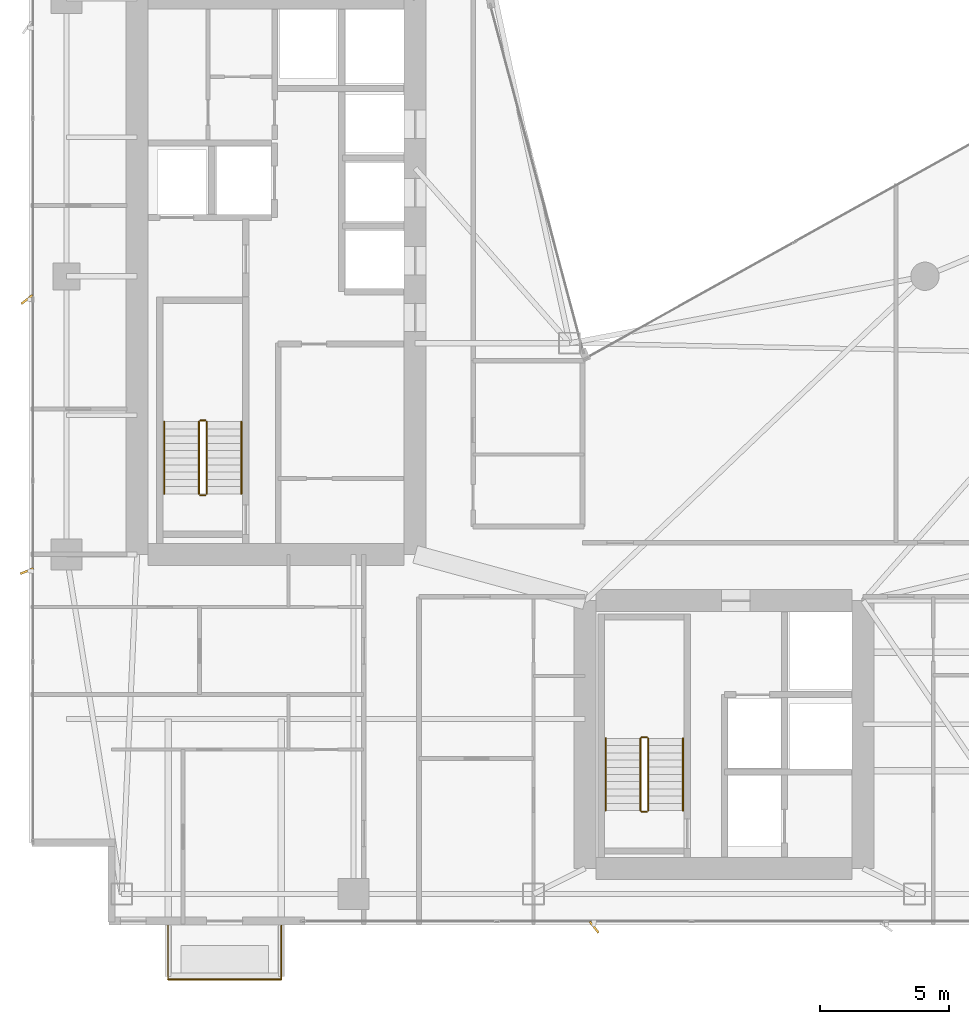
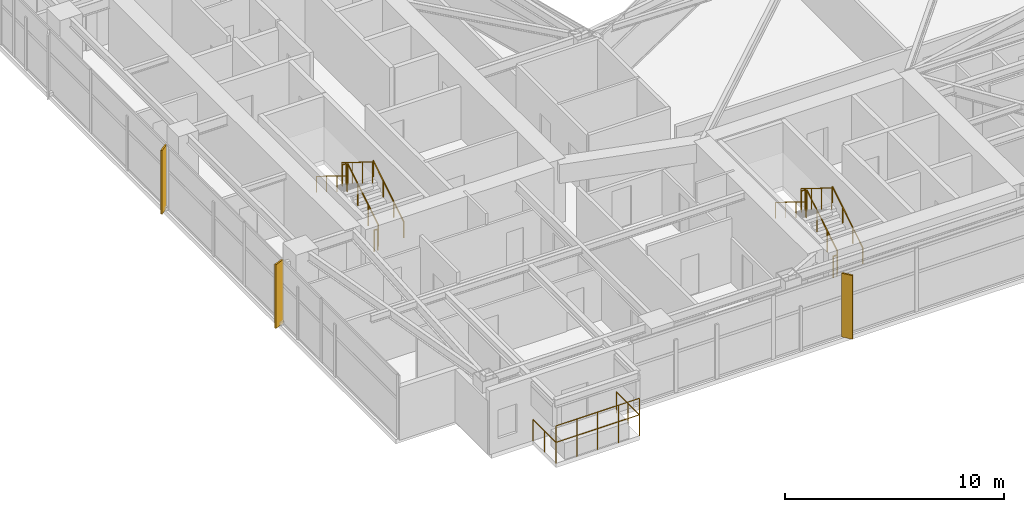
# One storey, part 28 of 29: 14 railings, 3 shading devices.
"""IFC4 building model written with IfcOpenShell, lengths in metres."""

from ifc_helpers import new_model, si_unit, direction, frame, origin, origin_2d, place, context, subcontext, project, spatial, rectangle, circle, extrude, material, type_object, element, save


model = new_model("IFC4")

# Units and contexts
model_context = context("Model", 3, precision=1e-05, world=origin(), true_north=direction((0.0, 1.0)))
body_context = subcontext(model_context, "Body", "Model", "MODEL_VIEW")
ifc_project = project(units=[si_unit("LENGTHUNIT", "METRE"), si_unit("AREAUNIT", "SQUARE_METRE"), si_unit("VOLUMEUNIT", "CUBIC_METRE"), si_unit("PLANEANGLEUNIT", "RADIAN"), si_unit("MASSUNIT", "GRAM", prefix="KILO")], contexts=[model_context])

# Site, building, storey
site_placement = place(None, origin())
site = spatial("IfcSite", under=ifc_project, at=site_placement, CompositionType="ELEMENT")
building_placement = place(site_placement, origin())
building = spatial("IfcBuilding", under=site, at=building_placement, Name="Calvorn Quay Hotel", CompositionType="ELEMENT")
storey_placement = place(building_placement, frame((0.0, 0.0, 167.5)))
storey = spatial("IfcBuildingStorey", under=building, at=storey_placement, Name="L41", CompositionType="ELEMENT", Elevation=167.5)

# Railings
ifc_material_1 = material(Name="Pale Anodised Aluminium and Laminated Glass", Category="aluminium")
railing_type_1 = type_object("IfcRailingType", Name="RLG-BALUSTRADE-1200", PredefinedType="BALUSTRADE", material=ifc_material_1)
railing_1_placement = place(storey_placement, frame((5.39990234375, 2.389892578125, 0.0)))
element("IfcRailing", 1, at=railing_1_placement, inside=storey, type_object=railing_type_1, Name="Tree Balcony Perimeter Balustrade L41-BALC-S", PredefinedType="BALUSTRADE", context=body_context, shape_type="SweptSolid", body=[
    extrude(circle(Radius=0.02392578125, at=origin_2d()), frame((0.0, 0.0, 1.17578125), z_axis=(0.0, -1.0, 0.0), x_axis=(1.0, 0.0, 0.0)), (0.0, 0.0, 1.0), 2.099853515625),
    extrude(circle(Radius=0.02392578125, at=origin_2d()), frame((0.0, -2.099853515625, 1.17578125), z_axis=(1.0, 0.0, 0.0), x_axis=(0.0, 1.0, 0.0)), (0.0, 0.0, 1.0), 4.400146484375),
    extrude(circle(Radius=0.02392578125, at=origin_2d()), frame((4.400146484375, -2.099853515625, 1.17578125), z_axis=(0.0, 1.0, 0.0), x_axis=(-1.0, 0.0, 0.0)), (0.0, 0.0, 1.0), 2.099853515625),
    extrude(circle(Radius=0.02099609375, at=origin_2d()), origin(), (0.0, 0.0, 1.0), 1.15185546875),
    extrude(circle(Radius=0.02099609375, at=origin_2d()), frame((0.0, -1.0498046875, 0.0)), (0.0, 0.0, 1.0), 1.15185546875),
    extrude(circle(Radius=0.02099609375, at=origin_2d()), frame((0.0, -2.099853515625, 0.0)), (0.0, 0.0, 1.0), 1.15185546875),
    extrude(circle(Radius=0.02099609375, at=origin_2d()), frame((1.10009765625, -2.099853515625, 0.0)), (0.0, 0.0, 1.0), 1.15185546875),
    extrude(circle(Radius=0.02099609375, at=origin_2d()), frame((2.2001953125, -2.099853515625, 0.0)), (0.0, 0.0, 1.0), 1.15185546875),
    extrude(circle(Radius=0.02099609375, at=origin_2d()), frame((3.300048828125, -2.099853515625, 0.0)), (0.0, 0.0, 1.0), 1.15185546875),
    extrude(circle(Radius=0.02099609375, at=origin_2d()), frame((4.400146484375, -2.099853515625, 0.0)), (0.0, 0.0, 1.0), 1.15185546875),
    extrude(circle(Radius=0.02099609375, at=origin_2d()), frame((4.400146484375, -1.0498046875, 0.0)), (0.0, 0.0, 1.0), 1.15185546875),
    extrude(circle(Radius=0.02099609375, at=origin_2d()), frame((4.400146484375, 0.0, 0.0)), (0.0, 0.0, 1.0), 1.15185546875),
])
railing_2_placement = place(storey_placement, frame((5.39990234375, 0.2900390625, 0.89990234375)))
element("IfcRailing", 2, at=railing_2_placement, inside=storey, type_object=railing_type_1, Name="Planter Kerb High Safety Screen L41-BALC-S", PredefinedType="BALUSTRADE", context=body_context, shape_type="SweptSolid", body=[
    extrude(circle(Radius=0.02392578125, at=origin_2d()), frame((0.0, 0.0, 1.19580078125), z_axis=(1.0, 0.0, 0.0), x_axis=(0.0, 1.0, 0.0)), (0.0, 0.0, 1.0), 4.400146484375),
    extrude(circle(Radius=0.02099609375, at=origin_2d()), origin(), (0.0, 0.0, 1.0), 1.171875),
    extrude(circle(Radius=0.02099609375, at=origin_2d()), frame((1.10009765625, 0.0, 0.0)), (0.0, 0.0, 1.0), 1.171875),
    extrude(circle(Radius=0.02099609375, at=origin_2d()), frame((2.2001953125, 0.0, 0.0)), (0.0, 0.0, 1.0), 1.171875),
    extrude(circle(Radius=0.02099609375, at=origin_2d()), frame((3.300048828125, 0.0, 0.0)), (0.0, 0.0, 1.0), 1.171875),
    extrude(circle(Radius=0.02099609375, at=origin_2d()), frame((4.400146484375, 0.0, 0.0)), (0.0, 0.0, 1.0), 1.171875),
])
ifc_material_2 = material(Name="Brushed Stainless Steel Handrail", Category="steel")
railing_type_2 = type_object("IfcRailingType", Name="RLG-HANDRAIL-900", PredefinedType="HANDRAIL", material=ifc_material_2)
railing_3_placement = place(storey_placement, frame((8.25, 19.14990234375, 0.172607421875)))
element("IfcRailing", 3, at=railing_3_placement, inside=storey, type_object=railing_type_2, Name="L41 ST-W stair handrail 1", PredefinedType="HANDRAIL", context=body_context, shape_type="SweptSolid", body=[
    extrude(circle(Radius=0.02392578125, at=origin_2d()), frame((0.0, 0.0, 0.8759765625), z_axis=(0.0, 0.851089632645, 0.525020415988), x_axis=(-1.0, 0.0, 0.0)), (0.0, 0.0, 1.0), 3.2900390625),
    extrude(circle(Radius=0.02099609375, at=origin_2d()), origin(), (0.0, 0.0, 1.0), 0.851806640625),
    extrude(circle(Radius=0.02099609375, at=origin_2d()), frame((0.0, 0.933349609375, 0.57568359375)), (0.0, 0.0, 1.0), 0.851806640625),
    extrude(circle(Radius=0.02099609375, at=origin_2d()), frame((0.0, 1.86669921875, 1.151611328125)), (0.0, 0.0, 1.0), 0.851806640625),
    extrude(circle(Radius=0.02099609375, at=origin_2d()), frame((0.0, 2.800048828125, 1.727294921875)), (0.0, 0.0, 1.0), 0.851806640625),
])
railing_4_placement = place(storey_placement, frame((5.25, 21.949951171875, 2.07275390625)))
element("IfcRailing", 4, at=railing_4_placement, inside=storey, type_object=railing_type_2, Name="L41 ST-W stair handrail 2", PredefinedType="HANDRAIL", context=body_context, shape_type="SweptSolid", body=[
    extrude(circle(Radius=0.02392578125, at=origin_2d()), frame((0.0, 0.0, 0.8759765625), z_axis=(0.0, -0.851089632645, 0.525020415988), x_axis=(1.0, 0.0, 0.0)), (0.0, 0.0, 1.0), 3.2900390625),
    extrude(circle(Radius=0.02099609375, at=origin_2d()), origin(), (0.0, 0.0, 1.0), 0.851806640625),
    extrude(circle(Radius=0.02099609375, at=origin_2d()), frame((0.0, -0.933349609375, 0.57568359375)), (0.0, 0.0, 1.0), 0.851806640625),
    extrude(circle(Radius=0.02099609375, at=origin_2d()), frame((0.0, -1.86669921875, 1.151611328125)), (0.0, 0.0, 1.0), 0.851806640625),
    extrude(circle(Radius=0.02099609375, at=origin_2d()), frame((0.0, -2.800048828125, 1.727294921875)), (0.0, 0.0, 1.0), 0.851806640625),
])
railing_5_placement = place(storey_placement, frame((25.39990234375, 6.85009765625, 0.172607421875)))
element("IfcRailing", 5, at=railing_5_placement, inside=storey, type_object=railing_type_2, Name="L41 ST-E stair handrail 1", PredefinedType="HANDRAIL", context=body_context, shape_type="SweptSolid", body=[
    extrude(circle(Radius=0.02392578125, at=origin_2d()), frame((0.0, 0.0, 0.8759765625), z_axis=(0.0, 0.851069175582, 0.525053576669), x_axis=(-1.0, 0.0, 0.0)), (0.0, 0.0, 1.0), 3.289794921875),
    extrude(circle(Radius=0.02099609375, at=origin_2d()), origin(), (0.0, 0.0, 1.0), 0.851806640625),
    extrude(circle(Radius=0.02099609375, at=origin_2d()), frame((0.0, 0.933349609375, 0.57568359375)), (0.0, 0.0, 1.0), 0.851806640625),
    extrude(circle(Radius=0.02099609375, at=origin_2d()), frame((0.0, 1.866455078125, 1.151611328125)), (0.0, 0.0, 1.0), 0.851806640625),
    extrude(circle(Radius=0.02099609375, at=origin_2d()), frame((0.0, 2.7998046875, 1.727294921875)), (0.0, 0.0, 1.0), 0.851806640625),
])
railing_6_placement = place(storey_placement, frame((22.39990234375, 9.64990234375, 2.07275390625)))
element("IfcRailing", 6, at=railing_6_placement, inside=storey, type_object=railing_type_2, Name="L41 ST-E stair handrail 2", PredefinedType="HANDRAIL", context=body_context, shape_type="SweptSolid", body=[
    extrude(circle(Radius=0.02392578125, at=origin_2d()), frame((0.0, 0.0, 0.8759765625), z_axis=(0.0, -0.851069175582, 0.525053576669), x_axis=(1.0, 0.0, 0.0)), (0.0, 0.0, 1.0), 3.289794921875),
    extrude(circle(Radius=0.02099609375, at=origin_2d()), origin(), (0.0, 0.0, 1.0), 0.851806640625),
    extrude(circle(Radius=0.02099609375, at=origin_2d()), frame((0.0, -0.933349609375, 0.57568359375)), (0.0, 0.0, 1.0), 0.851806640625),
    extrude(circle(Radius=0.02099609375, at=origin_2d()), frame((0.0, -1.866455078125, 1.151611328125)), (0.0, 0.0, 1.0), 0.851806640625),
    extrude(circle(Radius=0.02099609375, at=origin_2d()), frame((0.0, -2.7998046875, 1.727294921875)), (0.0, 0.0, 1.0), 0.851806640625),
])
ifc_material_3 = material(Name="Painted Galvanised Steel Balustrade", Category="steel")
railing_type_3 = type_object("IfcRailingType", Name="RLG-STAIR-GUARD-1120", PredefinedType="GUARDRAIL", material=ifc_material_3)
railing_7_placement = place(storey_placement, frame((6.89990234375, 19.14990234375, 0.172607421875)))
element("IfcRailing", 7, at=railing_7_placement, inside=storey, type_object=railing_type_3, Name="L41 ST-W stair guard 1", PredefinedType="GUARDRAIL", context=body_context, shape_type="SweptSolid", body=[
    extrude(circle(Radius=0.02392578125, at=origin_2d()), frame((0.0, 0.0, 1.17578125), z_axis=(0.0, 0.851089632645, 0.525020415988), x_axis=(-1.0, 0.0, 0.0)), (0.0, 0.0, 1.0), 3.2900390625),
    extrude(circle(Radius=0.02099609375, at=origin_2d()), origin(), (0.0, 0.0, 1.0), 1.15185546875),
    extrude(circle(Radius=0.02099609375, at=origin_2d()), frame((0.0, 0.933349609375, 0.57568359375)), (0.0, 0.0, 1.0), 1.15185546875),
    extrude(circle(Radius=0.02099609375, at=origin_2d()), frame((0.0, 1.86669921875, 1.151611328125)), (0.0, 0.0, 1.0), 1.15185546875),
    extrude(circle(Radius=0.02099609375, at=origin_2d()), frame((0.0, 2.800048828125, 1.727294921875)), (0.0, 0.0, 1.0), 1.15185546875),
])
railing_8_placement = place(storey_placement, frame((6.85009765625, 22.0, 1.89990234375)))
element("IfcRailing", 8, at=railing_8_placement, inside=storey, type_object=railing_type_3, Name="L41 ST-W stair guard 2", PredefinedType="GUARDRAIL", context=body_context, shape_type="SweptSolid", body=[
    extrude(circle(Radius=0.02392578125, at=origin_2d()), frame((0.0, 0.0, 1.17578125), z_axis=(-1.0, 0.0, 0.0), x_axis=(0.0, -1.0, 0.0)), (0.0, 0.0, 1.0), 0.2001953125),
    extrude(circle(Radius=0.02099609375, at=origin_2d()), origin(), (0.0, 0.0, 1.0), 1.15185546875),
    extrude(circle(Radius=0.02099609375, at=origin_2d()), frame((-0.2001953125, 0.0, 0.0)), (0.0, 0.0, 1.0), 1.15185546875),
])
railing_9_placement = place(storey_placement, frame((6.60009765625, 21.949951171875, 2.07275390625)))
element("IfcRailing", 9, at=railing_9_placement, inside=storey, type_object=railing_type_3, Name="L41 ST-W stair guard 3", PredefinedType="GUARDRAIL", context=body_context, shape_type="SweptSolid", body=[
    extrude(circle(Radius=0.02392578125, at=origin_2d()), frame((0.0, 0.0, 1.17578125), z_axis=(0.0, -0.851089632645, 0.525020415988), x_axis=(1.0, 0.0, 0.0)), (0.0, 0.0, 1.0), 3.2900390625),
    extrude(circle(Radius=0.02099609375, at=origin_2d()), origin(), (0.0, 0.0, 1.0), 1.15185546875),
    extrude(circle(Radius=0.02099609375, at=origin_2d()), frame((0.0, -0.933349609375, 0.57568359375)), (0.0, 0.0, 1.0), 1.15185546875),
    extrude(circle(Radius=0.02099609375, at=origin_2d()), frame((0.0, -1.86669921875, 1.151611328125)), (0.0, 0.0, 1.0), 1.15185546875),
    extrude(circle(Radius=0.02099609375, at=origin_2d()), frame((0.0, -2.800048828125, 1.727294921875)), (0.0, 0.0, 1.0), 1.15185546875),
])
railing_10_placement = place(storey_placement, frame((6.85009765625, 19.10009765625, 0.0)))
element("IfcRailing", 10, at=railing_10_placement, inside=storey, type_object=railing_type_3, Name="L41 ST-W stair guard 4", PredefinedType="GUARDRAIL", context=body_context, shape_type="SweptSolid", body=[
    extrude(circle(Radius=0.02392578125, at=origin_2d()), frame((0.0, 0.0, 1.17578125), z_axis=(-1.0, 0.0, 0.0), x_axis=(0.0, -1.0, 0.0)), (0.0, 0.0, 1.0), 0.2001953125),
    extrude(circle(Radius=0.02099609375, at=origin_2d()), origin(), (0.0, 0.0, 1.0), 1.15185546875),
    extrude(circle(Radius=0.02099609375, at=origin_2d()), frame((-0.2001953125, 0.0, 0.0)), (0.0, 0.0, 1.0), 1.15185546875),
])
railing_11_placement = place(storey_placement, frame((24.050048828125, 6.85009765625, 0.172607421875)))
element("IfcRailing", 11, at=railing_11_placement, inside=storey, type_object=railing_type_3, Name="L41 ST-E stair guard 1", PredefinedType="GUARDRAIL", context=body_context, shape_type="SweptSolid", body=[
    extrude(circle(Radius=0.02392578125, at=origin_2d()), frame((0.0, 0.0, 1.17578125), z_axis=(0.0, 0.851069175582, 0.525053576669), x_axis=(-1.0, 0.0, 0.0)), (0.0, 0.0, 1.0), 3.289794921875),
    extrude(circle(Radius=0.02099609375, at=origin_2d()), origin(), (0.0, 0.0, 1.0), 1.15185546875),
    extrude(circle(Radius=0.02099609375, at=origin_2d()), frame((0.0, 0.933349609375, 0.57568359375)), (0.0, 0.0, 1.0), 1.15185546875),
    extrude(circle(Radius=0.02099609375, at=origin_2d()), frame((0.0, 1.866455078125, 1.151611328125)), (0.0, 0.0, 1.0), 1.15185546875),
    extrude(circle(Radius=0.02099609375, at=origin_2d()), frame((0.0, 2.7998046875, 1.727294921875)), (0.0, 0.0, 1.0), 1.15185546875),
])
railing_12_placement = place(storey_placement, frame((24.0, 9.699951171875, 1.89990234375)))
element("IfcRailing", 12, at=railing_12_placement, inside=storey, type_object=railing_type_3, Name="L41 ST-E stair guard 2", PredefinedType="GUARDRAIL", context=body_context, shape_type="SweptSolid", body=[
    extrude(circle(Radius=0.02392578125, at=origin_2d()), frame((0.0, 0.0, 1.17578125), z_axis=(-1.0, 0.0, 0.0), x_axis=(0.0, -1.0, 0.0)), (0.0, 0.0, 1.0), 0.199951171875),
    extrude(circle(Radius=0.02099609375, at=origin_2d()), origin(), (0.0, 0.0, 1.0), 1.15185546875),
    extrude(circle(Radius=0.02099609375, at=origin_2d()), frame((-0.199951171875, 0.0, 0.0)), (0.0, 0.0, 1.0), 1.15185546875),
])
railing_13_placement = place(storey_placement, frame((23.75, 9.64990234375, 2.07275390625)))
element("IfcRailing", 13, at=railing_13_placement, inside=storey, type_object=railing_type_3, Name="L41 ST-E stair guard 3", PredefinedType="GUARDRAIL", context=body_context, shape_type="SweptSolid", body=[
    extrude(circle(Radius=0.02392578125, at=origin_2d()), frame((0.0, 0.0, 1.17578125), z_axis=(0.0, -0.851069175582, 0.525053576669), x_axis=(1.0, 0.0, 0.0)), (0.0, 0.0, 1.0), 3.289794921875),
    extrude(circle(Radius=0.02099609375, at=origin_2d()), origin(), (0.0, 0.0, 1.0), 1.15185546875),
    extrude(circle(Radius=0.02099609375, at=origin_2d()), frame((0.0, -0.933349609375, 0.57568359375)), (0.0, 0.0, 1.0), 1.15185546875),
    extrude(circle(Radius=0.02099609375, at=origin_2d()), frame((0.0, -1.866455078125, 1.151611328125)), (0.0, 0.0, 1.0), 1.15185546875),
    extrude(circle(Radius=0.02099609375, at=origin_2d()), frame((0.0, -2.7998046875, 1.727294921875)), (0.0, 0.0, 1.0), 1.15185546875),
])
railing_14_placement = place(storey_placement, frame((24.0, 6.800048828125, 0.0)))
element("IfcRailing", 14, at=railing_14_placement, inside=storey, type_object=railing_type_3, Name="L41 ST-E stair guard 4", PredefinedType="GUARDRAIL", context=body_context, shape_type="SweptSolid", body=[
    extrude(circle(Radius=0.02392578125, at=origin_2d()), frame((0.0, 0.0, 1.17578125), z_axis=(-1.0, 0.0, 0.0), x_axis=(0.0, -1.0, 0.0)), (0.0, 0.0, 1.0), 0.199951171875),
    extrude(circle(Radius=0.02099609375, at=origin_2d()), origin(), (0.0, 0.0, 1.0), 1.15185546875),
    extrude(circle(Radius=0.02099609375, at=origin_2d()), frame((-0.199951171875, 0.0, 0.0)), (0.0, 0.0, 1.0), 1.15185546875),
])

# Shading devices
ifc_material_4 = material(Name="Champagne Bronze Anodised Aluminium 6063-T6", Category="aluminium")
shading_device_type_1 = type_object("IfcShadingDeviceType", Name="SHD-FIN-A1", PredefinedType="USERDEFINED", material=ifc_material_4)
shading_device_placement = place(storey_placement, frame((-0.080078125, 16.14990234375, 0.0), z_axis=(0.0, 0.0, 1.0), x_axis=(0.927183854567, 0.374606593416, 0.0)))
element("IfcShadingDevice", 15, at=shading_device_placement, inside=storey, type_object=shading_device_type_1, Name="Diagonal Sun-Shading Fin L41-W01", ObjectType="FIN", PredefinedType="USERDEFINED", context=body_context, shape_type="SweptSolid", body=[
    extrude(rectangle(XDim=0.550048828125, YDim=0.080078125, at=origin_2d()), origin(), (0.0, 0.0, 1.0), 3.56005859375),
])
ifc_material_5 = material(Name="Champagne Bronze Anodised Aluminium 6063-T6", Category="aluminium")
shading_device_type_2 = type_object("IfcShadingDeviceType", Name="SHD-FIN-A2", PredefinedType="USERDEFINED", material=ifc_material_5)
for number, where, z_axis, x_axis, name in (
    (16, (-0.080078125, 26.699951171875, 0.0), (0.0, 0.0, 1.0), (0.788010753607, 0.615661475326, 0.0), "Diagonal Sun-Shading Fin L41-W02"),
    (17, (21.949951171875, 2.320068359375, 0.0), (0.0, 0.0, 1.0), (-0.615661475326, 0.788010753607, 0.0), "Diagonal Sun-Shading Fin L41-S01"),
):
    element("IfcShadingDevice", number, at=place(storey_placement, frame(where, z_axis=z_axis, x_axis=x_axis)), inside=storey, type_object=shading_device_type_2, Name=name, ObjectType="FIN", PredefinedType="USERDEFINED", context=body_context, shape_type="SweptSolid", body=[
        extrude(rectangle(XDim=0.550048828125, YDim=0.080078125, at=origin_2d()), origin(), (0.0, 0.0, 1.0), 3.56005859375),
    ])

save(model, "model.ifc")
